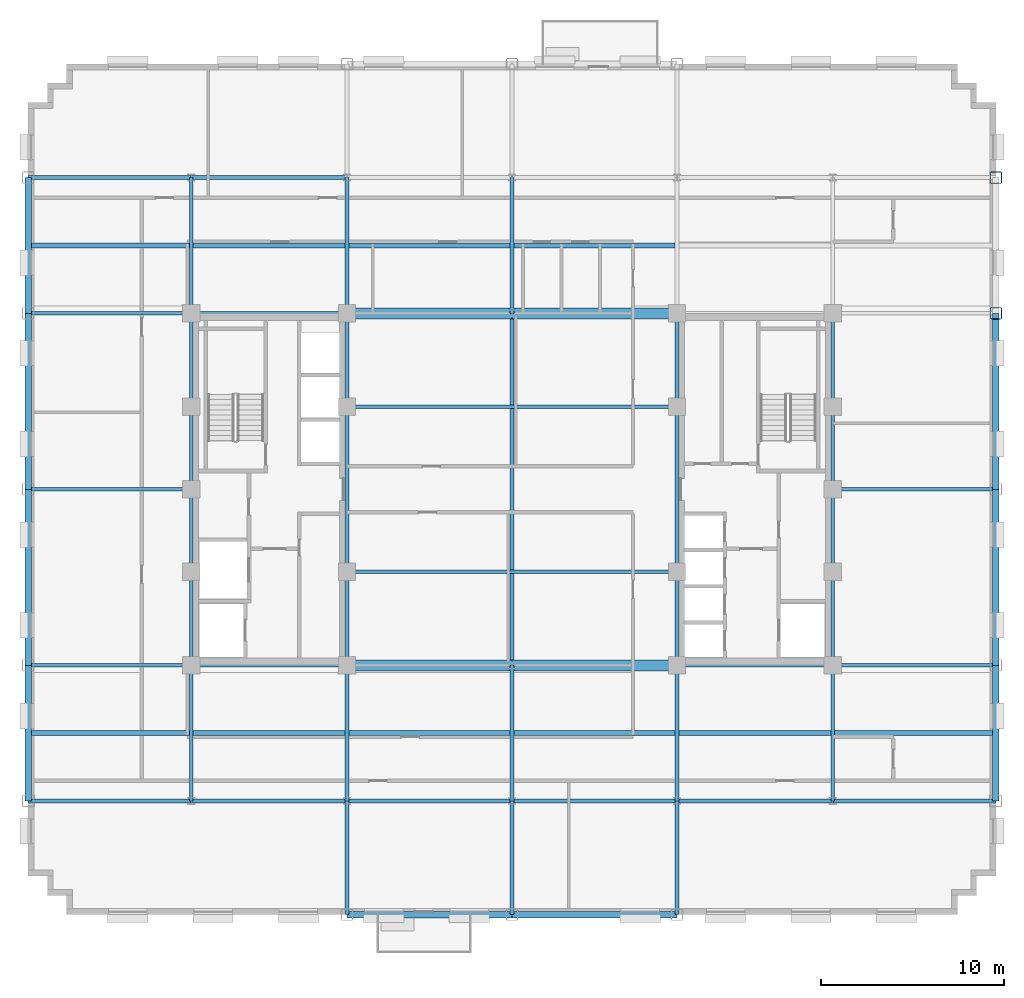
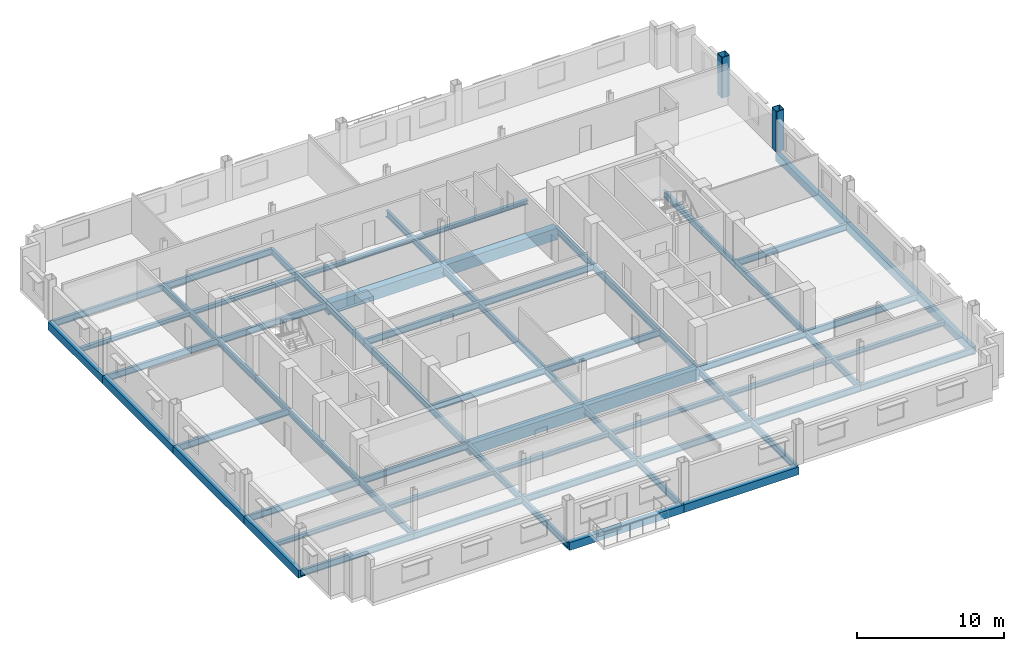
# One storey, part 4 of 14: 67 beams, 2 columns.
"""IFC4 building model written with IfcOpenShell, lengths in metres."""

from ifc_helpers import new_model, si_unit, direction, frame, origin, origin_2d, place, context, subcontext, project, spatial, rectangle, hollow_rectangle, i_section, extrude, material, material_profile, profile_set, type_object, element, save


model = new_model("IFC4")

# Units and contexts
model_context = context("Model", 3, precision=1e-05, world=origin(), true_north=direction((0.0, 1.0)))
body_context = subcontext(model_context, "Body", "Model", "MODEL_VIEW")
ifc_project = project(units=[si_unit("LENGTHUNIT", "METRE"), si_unit("AREAUNIT", "SQUARE_METRE"), si_unit("VOLUMEUNIT", "CUBIC_METRE"), si_unit("PLANEANGLEUNIT", "RADIAN"), si_unit("MASSUNIT", "GRAM", prefix="KILO")], contexts=[model_context])

# Site, building, storey
site_placement = place(None, origin())
site = spatial("IfcSite", under=ifc_project, at=site_placement, CompositionType="ELEMENT")
building_placement = place(site_placement, origin())
building = spatial("IfcBuilding", under=site, at=building_placement, Name="Nuvemarco Arch Tower", CompositionType="ELEMENT")
storey_placement = place(building_placement, frame((0.0, 0.0, 142.10009765625)))
storey = spatial("IfcBuildingStorey", under=building, at=storey_placement, Name="L37", CompositionType="ELEMENT", Elevation=142.10009765625)

# Columns
ifc_material_1 = material(Name="Steel S355", Category="steel")
ifc_material_profile_1 = material_profile(ifc_material_1, hollow_rectangle(XDim=0.64990234375, YDim=0.64990234375, WallThickness=0.0400390625, InnerFilletRadius=0.0400390625, OuterFilletRadius=0.080078125, at=origin_2d()), Name="SHS650x650x40")
ifc_profile_set_1 = profile_set([ifc_material_profile_1], Name="Steel S355")
column_type = type_object("IfcColumnType", Name="COL-EXO-650", PredefinedType="COLUMN", material=ifc_profile_set_1)
for number, where, z_axis, x_axis, name in (
    (1, (26.39990234375, 9.60009765625, 0.0), (0.0, 0.0, 1.0), (1.0, 0.0, 0.0), "L37 column CX_+26.4_+9.6"),
    (2, (26.39990234375, 17.0, 0.0), (0.0, 0.0, 1.0), (1.0, 0.0, 0.0), "L37 column CX_+26.4_+17.0"),
):
    element("IfcColumn", number, at=place(storey_placement, frame(where, z_axis=z_axis, x_axis=x_axis)), inside=storey, type_object=column_type, Name=name, PredefinedType="COLUMN", context=body_context, shape_type="SweptSolid", body=[
        extrude(hollow_rectangle(XDim=0.64990234375, YDim=0.64990234375, WallThickness=0.0400390625, InnerFilletRadius=0.0400390625, OuterFilletRadius=0.080078125, at=origin_2d()), origin(), (0.0, 0.0, 1.0), 3.369873046875),
    ])

# Beams
ifc_material_2 = material(Name="Concrete C60/75", Category="concrete")
ifc_material_profile_2 = material_profile(ifc_material_2, rectangle(XDim=0.60009765625, YDim=0.949951171875, at=origin_2d()), Name="RC-BM-600x950")
ifc_profile_set_2 = profile_set([ifc_material_profile_2], Name="Concrete C60/75")
beam_type_1 = type_object("IfcBeamType", Name="BM-COUP-RC", PredefinedType="LINTEL", material=ifc_profile_set_2)
for number, where, z_axis, x_axis, name in (
    (3, (-9.0, -9.60009765625, -0.755126953125), (1.0, 0.0, 0.0), (0.0, 1.0, 0.0), "L37 structural beam BGEW_L37_0_-9.6_-9.0"),
    (4, (0.0, -9.60009765625, -0.755126953125), (1.0, 0.0, 0.0), (0.0, 1.0, 0.0), "L37 structural beam BGEW_L37_0_-9.6_+0.0"),
    (5, (-9.0, 9.60009765625, -0.755126953125), (1.0, 0.0, 0.0), (0.0, 1.0, 0.0), "L37 structural beam BGEW_L37_0_+9.6_-9.0"),
    (6, (0.0, 9.60009765625, -0.755126953125), (1.0, 0.0, 0.0), (0.0, 1.0, 0.0), "L37 structural beam BGEW_L37_0_+9.6_+0.0"),
):
    element("IfcBeam", number, at=place(storey_placement, frame(where, z_axis=z_axis, x_axis=x_axis)), inside=storey, type_object=beam_type_1, Name=name, PredefinedType="LINTEL", context=body_context, shape_type="SweptSolid", body=[
        extrude(rectangle(XDim=0.60009765625, YDim=0.949951171875, at=origin_2d()), origin(), (0.0, 0.0, 1.0), 9.0),
    ])
ifc_material_profile_3 = material_profile(ifc_material_1, i_section(OverallWidth=0.2109375, OverallDepth=0.5390625, WebThickness=0.01171875, FlangeThickness=0.018798828125, FilletRadius=0.01611328125, at=origin_2d()), Name="W530x109")
ifc_profile_set_3 = profile_set([ifc_material_profile_3], Name="Steel S355")
beam_type_2 = type_object("IfcBeamType", Name="BM-GIRD-530", PredefinedType="BEAM", material=ifc_profile_set_3)
beam_1_placement = place(storey_placement, frame((-17.5, -17.0, -0.549560546875), z_axis=(0.0, 1.0, 0.0), x_axis=(-1.0, 0.0, 0.0)))
element("IfcBeam", 7, at=beam_1_placement, inside=storey, type_object=beam_type_2, Name="L37 structural beam BGNS_L37_0_-17.5_-17.0", PredefinedType="BEAM", context=body_context, shape_type="SweptSolid", body=[
    extrude(i_section(OverallWidth=0.2109375, OverallDepth=0.5390625, WebThickness=0.01171875, FlangeThickness=0.018798828125, FilletRadius=0.01611328125, at=origin_2d()), origin(), (0.0, 0.0, 1.0), 7.39990234375),
])
beam_2_placement = place(storey_placement, frame((-17.5, -9.60009765625, -0.549560546875), z_axis=(0.0, 1.0, 0.0), x_axis=(-1.0, 0.0, 0.0)))
element("IfcBeam", 8, at=beam_2_placement, inside=storey, type_object=beam_type_2, Name="L37 structural beam BGNS_L37_0_-17.5_-9.6", PredefinedType="BEAM", context=body_context, shape_type="SweptSolid", body=[
    extrude(i_section(OverallWidth=0.2109375, OverallDepth=0.5390625, WebThickness=0.01171875, FlangeThickness=0.018798828125, FilletRadius=0.01611328125, at=origin_2d()), origin(), (0.0, 0.0, 1.0), 5.10009765625),
])
for number, where, z_axis, x_axis, name in (
    (9, (-17.5, -4.5, -0.549560546875), (0.0, 1.0, 0.0), (-1.0, 0.0, 0.0), "L37 structural beam BGNS_L37_0_-17.5_-4.5"),
    (10, (-17.5, 0.0, -0.549560546875), (0.0, 1.0, 0.0), (-1.0, 0.0, 0.0), "L37 structural beam BGNS_L37_0_-17.5_+0.0"),
):
    element("IfcBeam", number, at=place(storey_placement, frame(where, z_axis=z_axis, x_axis=x_axis)), inside=storey, type_object=beam_type_2, Name=name, PredefinedType="BEAM", context=body_context, shape_type="SweptSolid", body=[
        extrude(i_section(OverallWidth=0.2109375, OverallDepth=0.5390625, WebThickness=0.01171875, FlangeThickness=0.018798828125, FilletRadius=0.01611328125, at=origin_2d()), origin(), (0.0, 0.0, 1.0), 4.5),
    ])
beam_3_placement = place(storey_placement, frame((-17.5, 4.5, -0.549560546875), z_axis=(0.0, 1.0, 0.0), x_axis=(-1.0, 0.0, 0.0)))
element("IfcBeam", 11, at=beam_3_placement, inside=storey, type_object=beam_type_2, Name="L37 structural beam BGNS_L37_0_-17.5_+4.5", PredefinedType="BEAM", context=body_context, shape_type="SweptSolid", body=[
    extrude(i_section(OverallWidth=0.2109375, OverallDepth=0.5390625, WebThickness=0.01171875, FlangeThickness=0.018798828125, FilletRadius=0.01611328125, at=origin_2d()), origin(), (0.0, 0.0, 1.0), 5.10009765625),
])
beam_4_placement = place(storey_placement, frame((-17.5, 9.60009765625, -0.549560546875), z_axis=(0.0, 1.0, 0.0), x_axis=(-1.0, 0.0, 0.0)))
element("IfcBeam", 12, at=beam_4_placement, inside=storey, type_object=beam_type_2, Name="L37 structural beam BGNS_L37_0_-17.5_+9.6", PredefinedType="BEAM", context=body_context, shape_type="SweptSolid", body=[
    extrude(i_section(OverallWidth=0.2109375, OverallDepth=0.5390625, WebThickness=0.01171875, FlangeThickness=0.018798828125, FilletRadius=0.01611328125, at=origin_2d()), origin(), (0.0, 0.0, 1.0), 7.39990234375),
])
beam_5_placement = place(storey_placement, frame((-9.0, -23.199951171875, -0.549560546875), z_axis=(0.0, 1.0, 0.0), x_axis=(-1.0, 0.0, 0.0)))
element("IfcBeam", 13, at=beam_5_placement, inside=storey, type_object=beam_type_2, Name="L37 structural beam BGNS_L37_0_-9.0_-23.2", PredefinedType="BEAM", context=body_context, shape_type="SweptSolid", body=[
    extrude(i_section(OverallWidth=0.2109375, OverallDepth=0.5390625, WebThickness=0.01171875, FlangeThickness=0.018798828125, FilletRadius=0.01611328125, at=origin_2d()), origin(), (0.0, 0.0, 1.0), 6.199951171875),
])
beam_6_placement = place(storey_placement, frame((-9.0, -17.0, -0.549560546875), z_axis=(0.0, 1.0, 0.0), x_axis=(-1.0, 0.0, 0.0)))
element("IfcBeam", 14, at=beam_6_placement, inside=storey, type_object=beam_type_2, Name="L37 structural beam BGNS_L37_0_-9.0_-17.0", PredefinedType="BEAM", context=body_context, shape_type="SweptSolid", body=[
    extrude(i_section(OverallWidth=0.2109375, OverallDepth=0.5390625, WebThickness=0.01171875, FlangeThickness=0.018798828125, FilletRadius=0.01611328125, at=origin_2d()), origin(), (0.0, 0.0, 1.0), 7.39990234375),
])
beam_7_placement = place(storey_placement, frame((-9.0, -9.60009765625, -0.549560546875), z_axis=(0.0, 1.0, 0.0), x_axis=(-1.0, 0.0, 0.0)))
element("IfcBeam", 15, at=beam_7_placement, inside=storey, type_object=beam_type_2, Name="L37 structural beam BGNS_L37_0_-9.0_-9.6", PredefinedType="BEAM", context=body_context, shape_type="SweptSolid", body=[
    extrude(i_section(OverallWidth=0.2109375, OverallDepth=0.5390625, WebThickness=0.01171875, FlangeThickness=0.018798828125, FilletRadius=0.01611328125, at=origin_2d()), origin(), (0.0, 0.0, 1.0), 5.10009765625),
])
beam_8_placement = place(storey_placement, frame((-9.0, -4.5, -0.549560546875), z_axis=(0.0, 1.0, 0.0), x_axis=(-1.0, 0.0, 0.0)))
element("IfcBeam", 16, at=beam_8_placement, inside=storey, type_object=beam_type_2, Name="L37 structural beam BGNS_L37_0_-9.0_-4.5", PredefinedType="BEAM", context=body_context, shape_type="SweptSolid", body=[
    extrude(i_section(OverallWidth=0.2109375, OverallDepth=0.5390625, WebThickness=0.01171875, FlangeThickness=0.018798828125, FilletRadius=0.01611328125, at=origin_2d()), origin(), (0.0, 0.0, 1.0), 9.0),
])
beam_9_placement = place(storey_placement, frame((-9.0, 4.5, -0.549560546875), z_axis=(0.0, 1.0, 0.0), x_axis=(-1.0, 0.0, 0.0)))
element("IfcBeam", 17, at=beam_9_placement, inside=storey, type_object=beam_type_2, Name="L37 structural beam BGNS_L37_0_-9.0_+4.5", PredefinedType="BEAM", context=body_context, shape_type="SweptSolid", body=[
    extrude(i_section(OverallWidth=0.2109375, OverallDepth=0.5390625, WebThickness=0.01171875, FlangeThickness=0.018798828125, FilletRadius=0.01611328125, at=origin_2d()), origin(), (0.0, 0.0, 1.0), 5.10009765625),
])
beam_10_placement = place(storey_placement, frame((-9.0, 9.60009765625, -0.549560546875), z_axis=(0.0, 1.0, 0.0), x_axis=(-1.0, 0.0, 0.0)))
element("IfcBeam", 18, at=beam_10_placement, inside=storey, type_object=beam_type_2, Name="L37 structural beam BGNS_L37_0_-9.0_+9.6", PredefinedType="BEAM", context=body_context, shape_type="SweptSolid", body=[
    extrude(i_section(OverallWidth=0.2109375, OverallDepth=0.5390625, WebThickness=0.01171875, FlangeThickness=0.018798828125, FilletRadius=0.01611328125, at=origin_2d()), origin(), (0.0, 0.0, 1.0), 7.39990234375),
])
beam_11_placement = place(storey_placement, frame((0.0, -23.199951171875, -0.549560546875), z_axis=(0.0, 1.0, 0.0), x_axis=(-1.0, 0.0, 0.0)))
element("IfcBeam", 19, at=beam_11_placement, inside=storey, type_object=beam_type_2, Name="L37 structural beam BGNS_L37_0_+0.0_-23.2", PredefinedType="BEAM", context=body_context, shape_type="SweptSolid", body=[
    extrude(i_section(OverallWidth=0.2109375, OverallDepth=0.5390625, WebThickness=0.01171875, FlangeThickness=0.018798828125, FilletRadius=0.01611328125, at=origin_2d()), origin(), (0.0, 0.0, 1.0), 6.199951171875),
])
beam_12_placement = place(storey_placement, frame((0.0, -17.0, -0.549560546875), z_axis=(0.0, 1.0, 0.0), x_axis=(-1.0, 0.0, 0.0)))
element("IfcBeam", 20, at=beam_12_placement, inside=storey, type_object=beam_type_2, Name="L37 structural beam BGNS_L37_0_+0.0_-17.0", PredefinedType="BEAM", context=body_context, shape_type="SweptSolid", body=[
    extrude(i_section(OverallWidth=0.2109375, OverallDepth=0.5390625, WebThickness=0.01171875, FlangeThickness=0.018798828125, FilletRadius=0.01611328125, at=origin_2d()), origin(), (0.0, 0.0, 1.0), 7.39990234375),
])
beam_13_placement = place(storey_placement, frame((0.0, -9.60009765625, -0.549560546875), z_axis=(0.0, 1.0, 0.0), x_axis=(-1.0, 0.0, 0.0)))
element("IfcBeam", 21, at=beam_13_placement, inside=storey, type_object=beam_type_2, Name="L37 structural beam BGNS_L37_0_+0.0_-9.6", PredefinedType="BEAM", context=body_context, shape_type="SweptSolid", body=[
    extrude(i_section(OverallWidth=0.2109375, OverallDepth=0.5390625, WebThickness=0.01171875, FlangeThickness=0.018798828125, FilletRadius=0.01611328125, at=origin_2d()), origin(), (0.0, 0.0, 1.0), 19.2001953125),
])
beam_14_placement = place(storey_placement, frame((0.0, 9.60009765625, -0.549560546875), z_axis=(0.0, 1.0, 0.0), x_axis=(-1.0, 0.0, 0.0)))
element("IfcBeam", 22, at=beam_14_placement, inside=storey, type_object=beam_type_2, Name="L37 structural beam BGNS_L37_0_+0.0_+9.6", PredefinedType="BEAM", context=body_context, shape_type="SweptSolid", body=[
    extrude(i_section(OverallWidth=0.2109375, OverallDepth=0.5390625, WebThickness=0.01171875, FlangeThickness=0.018798828125, FilletRadius=0.01611328125, at=origin_2d()), origin(), (0.0, 0.0, 1.0), 7.39990234375),
])
beam_15_placement = place(storey_placement, frame((9.0, -23.199951171875, -0.549560546875), z_axis=(0.0, 1.0, 0.0), x_axis=(-1.0, 0.0, 0.0)))
element("IfcBeam", 23, at=beam_15_placement, inside=storey, type_object=beam_type_2, Name="L37 structural beam BGNS_L37_0_+9.0_-23.2", PredefinedType="BEAM", context=body_context, shape_type="SweptSolid", body=[
    extrude(i_section(OverallWidth=0.2109375, OverallDepth=0.5390625, WebThickness=0.01171875, FlangeThickness=0.018798828125, FilletRadius=0.01611328125, at=origin_2d()), origin(), (0.0, 0.0, 1.0), 6.199951171875),
])
beam_16_placement = place(storey_placement, frame((9.0, -17.0, -0.549560546875), z_axis=(0.0, 1.0, 0.0), x_axis=(-1.0, 0.0, 0.0)))
element("IfcBeam", 24, at=beam_16_placement, inside=storey, type_object=beam_type_2, Name="L37 structural beam BGNS_L37_0_+9.0_-17.0", PredefinedType="BEAM", context=body_context, shape_type="SweptSolid", body=[
    extrude(i_section(OverallWidth=0.2109375, OverallDepth=0.5390625, WebThickness=0.01171875, FlangeThickness=0.018798828125, FilletRadius=0.01611328125, at=origin_2d()), origin(), (0.0, 0.0, 1.0), 7.39990234375),
])
beam_17_placement = place(storey_placement, frame((9.0, -9.60009765625, -0.549560546875), z_axis=(0.0, 1.0, 0.0), x_axis=(-1.0, 0.0, 0.0)))
element("IfcBeam", 25, at=beam_17_placement, inside=storey, type_object=beam_type_2, Name="L37 structural beam BGNS_L37_0_+9.0_-9.6", PredefinedType="BEAM", context=body_context, shape_type="SweptSolid", body=[
    extrude(i_section(OverallWidth=0.2109375, OverallDepth=0.5390625, WebThickness=0.01171875, FlangeThickness=0.018798828125, FilletRadius=0.01611328125, at=origin_2d()), origin(), (0.0, 0.0, 1.0), 5.10009765625),
])
beam_18_placement = place(storey_placement, frame((9.0, -4.5, -0.549560546875), z_axis=(0.0, 1.0, 0.0), x_axis=(-1.0, 0.0, 0.0)))
element("IfcBeam", 26, at=beam_18_placement, inside=storey, type_object=beam_type_2, Name="L37 structural beam BGNS_L37_0_+9.0_-4.5", PredefinedType="BEAM", context=body_context, shape_type="SweptSolid", body=[
    extrude(i_section(OverallWidth=0.2109375, OverallDepth=0.5390625, WebThickness=0.01171875, FlangeThickness=0.018798828125, FilletRadius=0.01611328125, at=origin_2d()), origin(), (0.0, 0.0, 1.0), 9.0),
])
beam_19_placement = place(storey_placement, frame((9.0, 4.5, -0.549560546875), z_axis=(0.0, 1.0, 0.0), x_axis=(-1.0, 0.0, 0.0)))
element("IfcBeam", 27, at=beam_19_placement, inside=storey, type_object=beam_type_2, Name="L37 structural beam BGNS_L37_0_+9.0_+4.5", PredefinedType="BEAM", context=body_context, shape_type="SweptSolid", body=[
    extrude(i_section(OverallWidth=0.2109375, OverallDepth=0.5390625, WebThickness=0.01171875, FlangeThickness=0.018798828125, FilletRadius=0.01611328125, at=origin_2d()), origin(), (0.0, 0.0, 1.0), 5.10009765625),
])
beam_20_placement = place(storey_placement, frame((17.5, -17.0, -0.549560546875), z_axis=(0.0, 1.0, 0.0), x_axis=(-1.0, 0.0, 0.0)))
element("IfcBeam", 28, at=beam_20_placement, inside=storey, type_object=beam_type_2, Name="L37 structural beam BGNS_L37_0_+17.5_-17.0", PredefinedType="BEAM", context=body_context, shape_type="SweptSolid", body=[
    extrude(i_section(OverallWidth=0.2109375, OverallDepth=0.5390625, WebThickness=0.01171875, FlangeThickness=0.018798828125, FilletRadius=0.01611328125, at=origin_2d()), origin(), (0.0, 0.0, 1.0), 7.39990234375),
])
beam_21_placement = place(storey_placement, frame((17.5, -9.60009765625, -0.549560546875), z_axis=(0.0, 1.0, 0.0), x_axis=(-1.0, 0.0, 0.0)))
element("IfcBeam", 29, at=beam_21_placement, inside=storey, type_object=beam_type_2, Name="L37 structural beam BGNS_L37_0_+17.5_-9.6", PredefinedType="BEAM", context=body_context, shape_type="SweptSolid", body=[
    extrude(i_section(OverallWidth=0.2109375, OverallDepth=0.5390625, WebThickness=0.01171875, FlangeThickness=0.018798828125, FilletRadius=0.01611328125, at=origin_2d()), origin(), (0.0, 0.0, 1.0), 5.10009765625),
])
for number, where, z_axis, x_axis, name in (
    (30, (17.5, -4.5, -0.549560546875), (0.0, 1.0, 0.0), (-1.0, 0.0, 0.0), "L37 structural beam BGNS_L37_0_+17.5_-4.5"),
    (31, (17.5, 0.0, -0.549560546875), (0.0, 1.0, 0.0), (-1.0, 0.0, 0.0), "L37 structural beam BGNS_L37_0_+17.5_+0.0"),
):
    element("IfcBeam", number, at=place(storey_placement, frame(where, z_axis=z_axis, x_axis=x_axis)), inside=storey, type_object=beam_type_2, Name=name, PredefinedType="BEAM", context=body_context, shape_type="SweptSolid", body=[
        extrude(i_section(OverallWidth=0.2109375, OverallDepth=0.5390625, WebThickness=0.01171875, FlangeThickness=0.018798828125, FilletRadius=0.01611328125, at=origin_2d()), origin(), (0.0, 0.0, 1.0), 4.5),
    ])
beam_22_placement = place(storey_placement, frame((17.5, 4.5, -0.549560546875), z_axis=(0.0, 1.0, 0.0), x_axis=(-1.0, 0.0, 0.0)))
element("IfcBeam", 32, at=beam_22_placement, inside=storey, type_object=beam_type_2, Name="L37 structural beam BGNS_L37_0_+17.5_+4.5", PredefinedType="BEAM", context=body_context, shape_type="SweptSolid", body=[
    extrude(i_section(OverallWidth=0.2109375, OverallDepth=0.5390625, WebThickness=0.01171875, FlangeThickness=0.018798828125, FilletRadius=0.01611328125, at=origin_2d()), origin(), (0.0, 0.0, 1.0), 5.10009765625),
])
beam_23_placement = place(storey_placement, frame((-26.39990234375, -17.0, -0.549560546875), z_axis=(1.0, 0.0, 0.0), x_axis=(0.0, 1.0, 0.0)))
element("IfcBeam", 33, at=beam_23_placement, inside=storey, type_object=beam_type_2, Name="L37 structural beam BGEW_L37_0_-17.0_-26.4", PredefinedType="BEAM", context=body_context, shape_type="SweptSolid", body=[
    extrude(i_section(OverallWidth=0.2109375, OverallDepth=0.5390625, WebThickness=0.01171875, FlangeThickness=0.018798828125, FilletRadius=0.01611328125, at=origin_2d()), origin(), (0.0, 0.0, 1.0), 8.89990234375),
])
beam_24_placement = place(storey_placement, frame((-17.5, -17.0, -0.549560546875), z_axis=(1.0, 0.0, 0.0), x_axis=(0.0, 1.0, 0.0)))
element("IfcBeam", 34, at=beam_24_placement, inside=storey, type_object=beam_type_2, Name="L37 structural beam BGEW_L37_0_-17.0_-17.5", PredefinedType="BEAM", context=body_context, shape_type="SweptSolid", body=[
    extrude(i_section(OverallWidth=0.2109375, OverallDepth=0.5390625, WebThickness=0.01171875, FlangeThickness=0.018798828125, FilletRadius=0.01611328125, at=origin_2d()), origin(), (0.0, 0.0, 1.0), 8.5),
])
for number, where, z_axis, x_axis, name in (
    (35, (-9.0, -17.0, -0.549560546875), (1.0, 0.0, 0.0), (0.0, 1.0, 0.0), "L37 structural beam BGEW_L37_0_-17.0_-9.0"),
    (36, (0.0, -17.0, -0.549560546875), (1.0, 0.0, 0.0), (0.0, 1.0, 0.0), "L37 structural beam BGEW_L37_0_-17.0_+0.0"),
):
    element("IfcBeam", number, at=place(storey_placement, frame(where, z_axis=z_axis, x_axis=x_axis)), inside=storey, type_object=beam_type_2, Name=name, PredefinedType="BEAM", context=body_context, shape_type="SweptSolid", body=[
        extrude(i_section(OverallWidth=0.2109375, OverallDepth=0.5390625, WebThickness=0.01171875, FlangeThickness=0.018798828125, FilletRadius=0.01611328125, at=origin_2d()), origin(), (0.0, 0.0, 1.0), 9.0),
    ])
beam_25_placement = place(storey_placement, frame((9.0, -17.0, -0.549560546875), z_axis=(1.0, 0.0, 0.0), x_axis=(0.0, 1.0, 0.0)))
element("IfcBeam", 37, at=beam_25_placement, inside=storey, type_object=beam_type_2, Name="L37 structural beam BGEW_L37_0_-17.0_+9.0", PredefinedType="BEAM", context=body_context, shape_type="SweptSolid", body=[
    extrude(i_section(OverallWidth=0.2109375, OverallDepth=0.5390625, WebThickness=0.01171875, FlangeThickness=0.018798828125, FilletRadius=0.01611328125, at=origin_2d()), origin(), (0.0, 0.0, 1.0), 8.5),
])
for number, where, z_axis, x_axis, name in (
    (38, (17.5, -17.0, -0.549560546875), (1.0, 0.0, 0.0), (0.0, 1.0, 0.0), "L37 structural beam BGEW_L37_0_-17.0_+17.5"),
    (39, (-26.39990234375, -9.60009765625, -0.549560546875), (1.0, 0.0, 0.0), (0.0, 1.0, 0.0), "L37 structural beam BGEW_L37_0_-9.6_-26.4"),
):
    element("IfcBeam", number, at=place(storey_placement, frame(where, z_axis=z_axis, x_axis=x_axis)), inside=storey, type_object=beam_type_2, Name=name, PredefinedType="BEAM", context=body_context, shape_type="SweptSolid", body=[
        extrude(i_section(OverallWidth=0.2109375, OverallDepth=0.5390625, WebThickness=0.01171875, FlangeThickness=0.018798828125, FilletRadius=0.01611328125, at=origin_2d()), origin(), (0.0, 0.0, 1.0), 8.89990234375),
    ])
for number, where, z_axis, x_axis, name in (
    (40, (-17.5, -9.60009765625, -0.549560546875), (1.0, 0.0, 0.0), (0.0, 1.0, 0.0), "L37 structural beam BGEW_L37_0_-9.6_-17.5"),
    (41, (9.0, -9.60009765625, -0.549560546875), (1.0, 0.0, 0.0), (0.0, 1.0, 0.0), "L37 structural beam BGEW_L37_0_-9.6_+9.0"),
):
    element("IfcBeam", number, at=place(storey_placement, frame(where, z_axis=z_axis, x_axis=x_axis)), inside=storey, type_object=beam_type_2, Name=name, PredefinedType="BEAM", context=body_context, shape_type="SweptSolid", body=[
        extrude(i_section(OverallWidth=0.2109375, OverallDepth=0.5390625, WebThickness=0.01171875, FlangeThickness=0.018798828125, FilletRadius=0.01611328125, at=origin_2d()), origin(), (0.0, 0.0, 1.0), 8.5),
    ])
beam_26_placement = place(storey_placement, frame((17.5, -9.60009765625, -0.549560546875), z_axis=(1.0, 0.0, 0.0), x_axis=(0.0, 1.0, 0.0)))
element("IfcBeam", 42, at=beam_26_placement, inside=storey, type_object=beam_type_2, Name="L37 structural beam BGEW_L37_0_-9.6_+17.5", PredefinedType="BEAM", context=body_context, shape_type="SweptSolid", body=[
    extrude(i_section(OverallWidth=0.2109375, OverallDepth=0.5390625, WebThickness=0.01171875, FlangeThickness=0.018798828125, FilletRadius=0.01611328125, at=origin_2d()), origin(), (0.0, 0.0, 1.0), 8.89990234375),
])
beam_27_placement = place(storey_placement, frame((-9.0, -4.5, -0.549560546875), z_axis=(1.0, 0.0, 0.0), x_axis=(0.0, 1.0, 0.0)))
element("IfcBeam", 43, at=beam_27_placement, inside=storey, type_object=beam_type_2, Name="L37 structural beam BGEW_L37_0_-4.5_-9.0", PredefinedType="BEAM", context=body_context, shape_type="SweptSolid", body=[
    extrude(i_section(OverallWidth=0.2109375, OverallDepth=0.5390625, WebThickness=0.01171875, FlangeThickness=0.018798828125, FilletRadius=0.01611328125, at=origin_2d()), origin(), (0.0, 0.0, 1.0), 18.0),
])
for number, where, z_axis, x_axis, name in (
    (44, (-26.39990234375, 0.0, -0.549560546875), (1.0, 0.0, 0.0), (0.0, 1.0, 0.0), "L37 structural beam BGEW_L37_0_+0.0_-26.4"),
    (45, (17.5, 0.0, -0.549560546875), (1.0, 0.0, 0.0), (0.0, 1.0, 0.0), "L37 structural beam BGEW_L37_0_+0.0_+17.5"),
):
    element("IfcBeam", number, at=place(storey_placement, frame(where, z_axis=z_axis, x_axis=x_axis)), inside=storey, type_object=beam_type_2, Name=name, PredefinedType="BEAM", context=body_context, shape_type="SweptSolid", body=[
        extrude(i_section(OverallWidth=0.2109375, OverallDepth=0.5390625, WebThickness=0.01171875, FlangeThickness=0.018798828125, FilletRadius=0.01611328125, at=origin_2d()), origin(), (0.0, 0.0, 1.0), 8.89990234375),
    ])
beam_28_placement = place(storey_placement, frame((-9.0, 4.5, -0.549560546875), z_axis=(1.0, 0.0, 0.0), x_axis=(0.0, 1.0, 0.0)))
element("IfcBeam", 46, at=beam_28_placement, inside=storey, type_object=beam_type_2, Name="L37 structural beam BGEW_L37_0_+4.5_-9.0", PredefinedType="BEAM", context=body_context, shape_type="SweptSolid", body=[
    extrude(i_section(OverallWidth=0.2109375, OverallDepth=0.5390625, WebThickness=0.01171875, FlangeThickness=0.018798828125, FilletRadius=0.01611328125, at=origin_2d()), origin(), (0.0, 0.0, 1.0), 18.0),
])
beam_29_placement = place(storey_placement, frame((-26.39990234375, 9.60009765625, -0.549560546875), z_axis=(1.0, 0.0, 0.0), x_axis=(0.0, 1.0, 0.0)))
element("IfcBeam", 47, at=beam_29_placement, inside=storey, type_object=beam_type_2, Name="L37 structural beam BGEW_L37_0_+9.6_-26.4", PredefinedType="BEAM", context=body_context, shape_type="SweptSolid", body=[
    extrude(i_section(OverallWidth=0.2109375, OverallDepth=0.5390625, WebThickness=0.01171875, FlangeThickness=0.018798828125, FilletRadius=0.01611328125, at=origin_2d()), origin(), (0.0, 0.0, 1.0), 8.89990234375),
])
beam_30_placement = place(storey_placement, frame((-17.5, 9.60009765625, -0.549560546875), z_axis=(1.0, 0.0, 0.0), x_axis=(0.0, 1.0, 0.0)))
element("IfcBeam", 48, at=beam_30_placement, inside=storey, type_object=beam_type_2, Name="L37 structural beam BGEW_L37_0_+9.6_-17.5", PredefinedType="BEAM", context=body_context, shape_type="SweptSolid", body=[
    extrude(i_section(OverallWidth=0.2109375, OverallDepth=0.5390625, WebThickness=0.01171875, FlangeThickness=0.018798828125, FilletRadius=0.01611328125, at=origin_2d()), origin(), (0.0, 0.0, 1.0), 8.5),
])
beam_31_placement = place(storey_placement, frame((-26.39990234375, 17.0, -0.549560546875), z_axis=(1.0, 0.0, 0.0), x_axis=(0.0, 1.0, 0.0)))
element("IfcBeam", 49, at=beam_31_placement, inside=storey, type_object=beam_type_2, Name="L37 structural beam BGEW_L37_0_+17.0_-26.4", PredefinedType="BEAM", context=body_context, shape_type="SweptSolid", body=[
    extrude(i_section(OverallWidth=0.2109375, OverallDepth=0.5390625, WebThickness=0.01171875, FlangeThickness=0.018798828125, FilletRadius=0.01611328125, at=origin_2d()), origin(), (0.0, 0.0, 1.0), 8.89990234375),
])
beam_32_placement = place(storey_placement, frame((-17.5, 17.0, -0.549560546875), z_axis=(1.0, 0.0, 0.0), x_axis=(0.0, 1.0, 0.0)))
element("IfcBeam", 50, at=beam_32_placement, inside=storey, type_object=beam_type_2, Name="L37 structural beam BGEW_L37_0_+17.0_-17.5", PredefinedType="BEAM", context=body_context, shape_type="SweptSolid", body=[
    extrude(i_section(OverallWidth=0.2109375, OverallDepth=0.5390625, WebThickness=0.01171875, FlangeThickness=0.018798828125, FilletRadius=0.01611328125, at=origin_2d()), origin(), (0.0, 0.0, 1.0), 8.5),
])
ifc_material_profile_4 = material_profile(ifc_material_1, i_section(OverallWidth=0.2548828125, OverallDepth=0.35693359375, WebThickness=0.010498046875, FlangeThickness=0.018310546875, FilletRadius=0.014892578125, at=origin_2d()), Name="W360x101")
ifc_profile_set_4 = profile_set([ifc_material_profile_4], Name="Steel S355")
beam_type_3 = type_object("IfcBeamType", Name="BM-JOIST-360H", PredefinedType="JOIST", material=ifc_profile_set_4)
beam_33_placement = place(storey_placement, frame((-26.22509765625, -13.300048828125, -0.45849609375), z_axis=(1.0, 0.0, 0.0), x_axis=(0.0, 1.0, 0.0)))
element("IfcBeam", 51, at=beam_33_placement, inside=storey, type_object=beam_type_3, Name="L37 structural beam BJ_L37_0_-13.3_-26.4", PredefinedType="JOIST", context=body_context, shape_type="SweptSolid", body=[
    extrude(i_section(OverallWidth=0.2548828125, OverallDepth=0.35693359375, WebThickness=0.010498046875, FlangeThickness=0.018310546875, FilletRadius=0.014892578125, at=origin_2d()), origin(), (0.0, 0.0, 1.0), 8.61962890625),
])
beam_34_placement = place(storey_placement, frame((-17.39453125, -13.300048828125, -0.45849609375), z_axis=(1.0, 0.0, 0.0), x_axis=(0.0, 1.0, 0.0)))
element("IfcBeam", 52, at=beam_34_placement, inside=storey, type_object=beam_type_3, Name="L37 structural beam BJ_L37_0_-13.3_-17.5", PredefinedType="JOIST", context=body_context, shape_type="SweptSolid", body=[
    extrude(i_section(OverallWidth=0.2548828125, OverallDepth=0.35693359375, WebThickness=0.010498046875, FlangeThickness=0.018310546875, FilletRadius=0.014892578125, at=origin_2d()), origin(), (0.0, 0.0, 1.0), 8.2890625),
])
for number, where, z_axis, x_axis, name in (
    (53, (-8.89453125, -13.300048828125, -0.45849609375), (1.0, 0.0, 0.0), (0.0, 1.0, 0.0), "L37 structural beam BJ_L37_0_-13.3_-9.0"),
    (54, (0.10546875, -13.300048828125, -0.45849609375), (1.0, 0.0, 0.0), (0.0, 1.0, 0.0), "L37 structural beam BJ_L37_0_-13.3_+0.0"),
):
    element("IfcBeam", number, at=place(storey_placement, frame(where, z_axis=z_axis, x_axis=x_axis)), inside=storey, type_object=beam_type_3, Name=name, PredefinedType="JOIST", context=body_context, shape_type="SweptSolid", body=[
        extrude(i_section(OverallWidth=0.2548828125, OverallDepth=0.35693359375, WebThickness=0.010498046875, FlangeThickness=0.018310546875, FilletRadius=0.014892578125, at=origin_2d()), origin(), (0.0, 0.0, 1.0), 8.7890625),
    ])
beam_35_placement = place(storey_placement, frame((9.10546875, -13.300048828125, -0.45849609375), z_axis=(1.0, 0.0, 0.0), x_axis=(0.0, 1.0, 0.0)))
element("IfcBeam", 55, at=beam_35_placement, inside=storey, type_object=beam_type_3, Name="L37 structural beam BJ_L37_0_-13.3_+9.0", PredefinedType="JOIST", context=body_context, shape_type="SweptSolid", body=[
    extrude(i_section(OverallWidth=0.2548828125, OverallDepth=0.35693359375, WebThickness=0.010498046875, FlangeThickness=0.018310546875, FilletRadius=0.014892578125, at=origin_2d()), origin(), (0.0, 0.0, 1.0), 8.2890625),
])
for number, where, z_axis, x_axis, name in (
    (56, (17.60546875, -13.300048828125, -0.45849609375), (1.0, 0.0, 0.0), (0.0, 1.0, 0.0), "L37 structural beam BJ_L37_0_-13.3_+17.5"),
    (57, (-26.22509765625, 13.300048828125, -0.45849609375), (1.0, 0.0, 0.0), (0.0, 1.0, 0.0), "L37 structural beam BJ_L37_0_+13.3_-26.4"),
):
    element("IfcBeam", number, at=place(storey_placement, frame(where, z_axis=z_axis, x_axis=x_axis)), inside=storey, type_object=beam_type_3, Name=name, PredefinedType="JOIST", context=body_context, shape_type="SweptSolid", body=[
        extrude(i_section(OverallWidth=0.2548828125, OverallDepth=0.35693359375, WebThickness=0.010498046875, FlangeThickness=0.018310546875, FilletRadius=0.014892578125, at=origin_2d()), origin(), (0.0, 0.0, 1.0), 8.61962890625),
    ])
beam_36_placement = place(storey_placement, frame((-17.39453125, 13.300048828125, -0.45849609375), z_axis=(1.0, 0.0, 0.0), x_axis=(0.0, 1.0, 0.0)))
element("IfcBeam", 58, at=beam_36_placement, inside=storey, type_object=beam_type_3, Name="L37 structural beam BJ_L37_0_+13.3_-17.5", PredefinedType="JOIST", context=body_context, shape_type="SweptSolid", body=[
    extrude(i_section(OverallWidth=0.2548828125, OverallDepth=0.35693359375, WebThickness=0.010498046875, FlangeThickness=0.018310546875, FilletRadius=0.014892578125, at=origin_2d()), origin(), (0.0, 0.0, 1.0), 8.2890625),
])
for number, where, z_axis, x_axis, name in (
    (59, (-8.89453125, 13.300048828125, -0.45849609375), (1.0, 0.0, 0.0), (0.0, 1.0, 0.0), "L37 structural beam BJ_L37_0_+13.3_-9.0"),
    (60, (0.10546875, 13.300048828125, -0.45849609375), (1.0, 0.0, 0.0), (0.0, 1.0, 0.0), "L37 structural beam BJ_L37_0_+13.3_+0.0"),
):
    element("IfcBeam", number, at=place(storey_placement, frame(where, z_axis=z_axis, x_axis=x_axis)), inside=storey, type_object=beam_type_3, Name=name, PredefinedType="JOIST", context=body_context, shape_type="SweptSolid", body=[
        extrude(i_section(OverallWidth=0.2548828125, OverallDepth=0.35693359375, WebThickness=0.010498046875, FlangeThickness=0.018310546875, FilletRadius=0.014892578125, at=origin_2d()), origin(), (0.0, 0.0, 1.0), 8.7890625),
    ])
ifc_material_3 = material(Name="Precast concrete C45/55", Category="concrete")
ifc_material_profile_5 = material_profile(ifc_material_3, rectangle(XDim=0.35009765625, YDim=0.64990234375, at=origin_2d()), Name="PC-SP-350x650")
ifc_profile_set_5 = profile_set([ifc_material_profile_5], Name="Precast concrete C45/55")
beam_type_4 = type_object("IfcBeamType", Name="BM-SPAN-RC", PredefinedType="SPANDREL", material=ifc_profile_set_5)
beam_37_placement = place(storey_placement, frame((-26.39990234375, -17.0, -0.60498046875), z_axis=(0.0, 1.0, 0.0), x_axis=(-1.0, 0.0, 0.0)))
element("IfcBeam", 61, at=beam_37_placement, inside=storey, type_object=beam_type_4, Name="L37 structural beam BGNS_L37_0_-26.4_-17.0", PredefinedType="SPANDREL", context=body_context, shape_type="SweptSolid", body=[
    extrude(rectangle(XDim=0.35009765625, YDim=0.64990234375, at=origin_2d()), origin(), (0.0, 0.0, 1.0), 7.39990234375),
])
for number, where, z_axis, x_axis, name in (
    (62, (-26.39990234375, -9.60009765625, -0.60498046875), (0.0, 1.0, 0.0), (-1.0, 0.0, 0.0), "L37 structural beam BGNS_L37_0_-26.4_-9.6"),
    (63, (-26.39990234375, 0.0, -0.60498046875), (0.0, 1.0, 0.0), (-1.0, 0.0, 0.0), "L37 structural beam BGNS_L37_0_-26.4_+0.0"),
):
    element("IfcBeam", number, at=place(storey_placement, frame(where, z_axis=z_axis, x_axis=x_axis)), inside=storey, type_object=beam_type_4, Name=name, PredefinedType="SPANDREL", context=body_context, shape_type="SweptSolid", body=[
        extrude(rectangle(XDim=0.35009765625, YDim=0.64990234375, at=origin_2d()), origin(), (0.0, 0.0, 1.0), 9.60009765625),
    ])
for number, where, z_axis, x_axis, name in (
    (64, (-26.39990234375, 9.60009765625, -0.60498046875), (0.0, 1.0, 0.0), (-1.0, 0.0, 0.0), "L37 structural beam BGNS_L37_0_-26.4_+9.6"),
    (65, (26.39990234375, -17.0, -0.60498046875), (0.0, 1.0, 0.0), (-1.0, 0.0, 0.0), "L37 structural beam BGNS_L37_0_+26.4_-17.0"),
):
    element("IfcBeam", number, at=place(storey_placement, frame(where, z_axis=z_axis, x_axis=x_axis)), inside=storey, type_object=beam_type_4, Name=name, PredefinedType="SPANDREL", context=body_context, shape_type="SweptSolid", body=[
        extrude(rectangle(XDim=0.35009765625, YDim=0.64990234375, at=origin_2d()), origin(), (0.0, 0.0, 1.0), 7.39990234375),
    ])
for number, where, z_axis, x_axis, name in (
    (66, (26.39990234375, -9.60009765625, -0.60498046875), (0.0, 1.0, 0.0), (-1.0, 0.0, 0.0), "L37 structural beam BGNS_L37_0_+26.4_-9.6"),
    (67, (26.39990234375, 0.0, -0.60498046875), (0.0, 1.0, 0.0), (-1.0, 0.0, 0.0), "L37 structural beam BGNS_L37_0_+26.4_+0.0"),
):
    element("IfcBeam", number, at=place(storey_placement, frame(where, z_axis=z_axis, x_axis=x_axis)), inside=storey, type_object=beam_type_4, Name=name, PredefinedType="SPANDREL", context=body_context, shape_type="SweptSolid", body=[
        extrude(rectangle(XDim=0.35009765625, YDim=0.64990234375, at=origin_2d()), origin(), (0.0, 0.0, 1.0), 9.60009765625),
    ])
for number, where, z_axis, x_axis, name in (
    (68, (-9.0, -23.199951171875, -0.60498046875), (1.0, 0.0, 0.0), (0.0, 1.0, 0.0), "L37 structural beam BGEW_L37_0_-23.2_-9.0"),
    (69, (0.0, -23.199951171875, -0.60498046875), (1.0, 0.0, 0.0), (0.0, 1.0, 0.0), "L37 structural beam BGEW_L37_0_-23.2_+0.0"),
):
    element("IfcBeam", number, at=place(storey_placement, frame(where, z_axis=z_axis, x_axis=x_axis)), inside=storey, type_object=beam_type_4, Name=name, PredefinedType="SPANDREL", context=body_context, shape_type="SweptSolid", body=[
        extrude(rectangle(XDim=0.35009765625, YDim=0.64990234375, at=origin_2d()), origin(), (0.0, 0.0, 1.0), 9.0),
    ])

save(model, "model.ifc")
